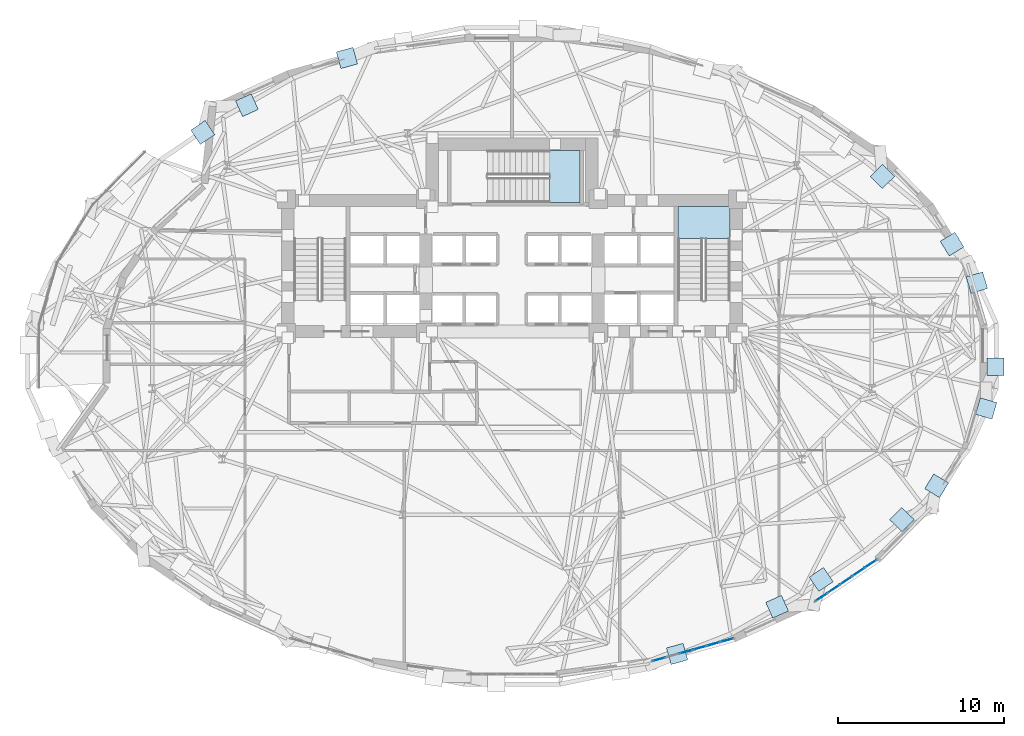
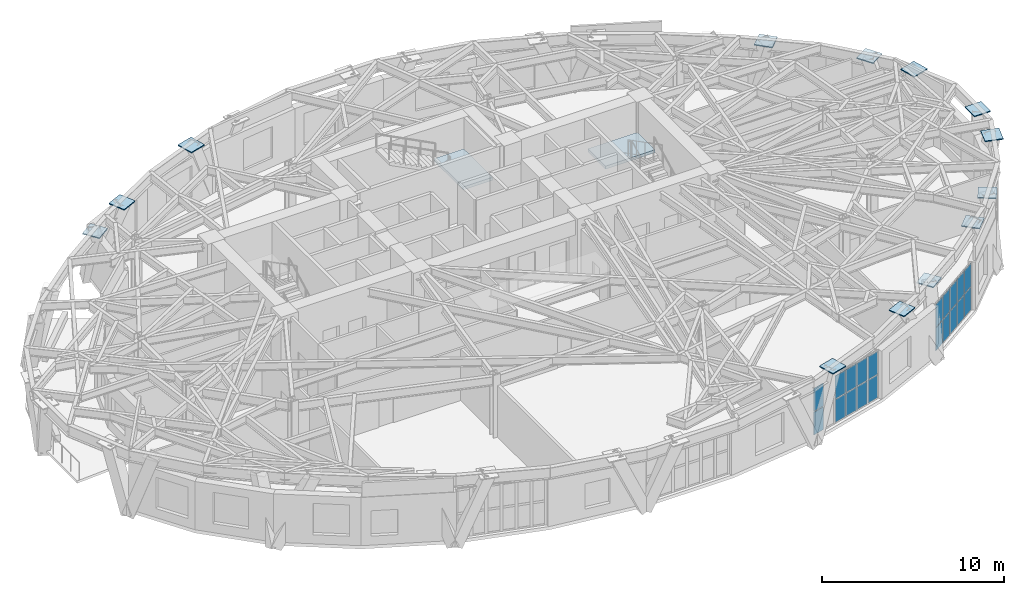
# One storey, part 11 of 20: 33 plates, 2 slabs, 4 elements without a shape of their own.
"""IFC4 building model written with IfcOpenShell, lengths in metres."""

from ifc_helpers import new_model, si_unit, direction, frame, origin, origin_2d, place, context, subcontext, project, spatial, polyline, rectangle, outline, extrude, material, layer, layer_set, type_object, element, aggregate, save


model = new_model("IFC4")

# Units and contexts
model_context = context("Model", 3, precision=1e-05, world=origin(), true_north=direction((0.0, 1.0)))
body_context = subcontext(model_context, "Body", "Model", "MODEL_VIEW")
ifc_project = project(units=[si_unit("LENGTHUNIT", "METRE"), si_unit("AREAUNIT", "SQUARE_METRE"), si_unit("VOLUMEUNIT", "CUBIC_METRE"), si_unit("PLANEANGLEUNIT", "RADIAN"), si_unit("MASSUNIT", "GRAM", prefix="KILO")], contexts=[model_context])

# Site, building, storey
site_placement = place(None, origin())
site = spatial("IfcSite", under=ifc_project, at=site_placement, CompositionType="ELEMENT")
building_placement = place(site_placement, origin())
building = spatial("IfcBuilding", under=site, at=building_placement, Name="Keldmark Tower", CompositionType="ELEMENT")
storey_placement = place(building_placement, frame((0.0, 0.0, 81.89990234375)))
storey = spatial("IfcBuildingStorey", under=building, at=storey_placement, Name="L21", CompositionType="ELEMENT", Elevation=81.89990234375)

# Plates
ifc_material_1 = material(Name="Steel ASTM A572 Grade 50", Category="steel")
ifc_layer_1 = layer(ifc_material_1, 0.06494140625)
ifc_layer_set_1 = layer_set([ifc_layer_1], Name="Steel ASTM A572 Grade 50")
plate_type_1 = type_object("IfcPlateType", Name="Diagrid Node Assembly DN02 65 mm", PredefinedType="USERDEFINED", material=ifc_layer_set_1)
for number, where, z_axis, x_axis, name in (
    (1, (28.0302734375, 4.41796875, 3.857666015625), (0.0, 0.0, 1.0), (-0.281839122541, 0.959461676674, 0.0), "L21 Diagrid Node Assembly 01"),
    (2, (26.53662109375, 6.741943359375, 3.857666015625), (0.0, 0.0, 1.0), (-0.521903182306, 0.853004729353, 0.0), "L21 Diagrid Node Assembly 02"),
    (3, (22.333740234375, 10.826416015625, 3.857666015625), (0.0, 0.0, 1.0), (-0.70240155419, 0.711780904964, 0.0), "L21 Diagrid Node Assembly 03"),
    (4, (-9.95458984375, 17.968505859375, 3.857666015625), (0.0, 0.0, 1.0), (-0.962833300518, -0.270096344686, 0.0), "L21 Diagrid Node Assembly 10"),
    (5, (-15.98583984375, 15.12109375, 3.857666015625), (0.0, 0.0, 1.0), (-0.911115763336, -0.41215053779, 0.0), "L21 Diagrid Node Assembly 11"),
    (6, (-18.644775390625, 13.476806640625, 3.857666015625), (0.0, 0.0, 1.0), (-0.828060334622, -0.560638994563, 0.0), "L21 Diagrid Node Assembly 12"),
    (7, (9.95458984375, -17.968505859375, 3.857666015625), (0.0, 0.0, 1.0), (0.962833300518, 0.270096344686, 0.0), "L21 Diagrid Node Assembly 26"),
    (8, (15.98583984375, -15.12109375, 3.857666015625), (0.0, 0.0, 1.0), (0.911115763336, 0.41215053779, 0.0), "L21 Diagrid Node Assembly 27"),
    (9, (18.644775390625, -13.476806640625, 3.857666015625), (0.0, 0.0, 1.0), (0.828060334622, 0.560638994563, 0.0), "L21 Diagrid Node Assembly 28"),
    (10, (23.507080078125, -9.8671875, 3.857666015625), (0.0, 0.0, 1.0), (0.70240155419, 0.711780904964, 0.0), "L21 Diagrid Node Assembly 29"),
    (11, (25.6044921875, -7.829345703125, 3.857666015625), (0.0, 0.0, 1.0), (0.521903182306, 0.853004729353, 0.0), "L21 Diagrid Node Assembly 30"),
    (12, (28.591552734375, -3.16943359375, 3.857666015625), (0.0, 0.0, 1.0), (0.281839122541, 0.959461676674, 0.0), "L21 Diagrid Node Assembly 31"),
    (13, (29.148193359375, -0.64404296875, 3.857666015625), (0.0, 0.0, 1.0), (0.0, 1.0, 0.0), "L21 Diagrid Node Assembly 32"),
):
    element("IfcPlate", number, at=place(storey_placement, frame(where, z_axis=z_axis, x_axis=x_axis)), inside=storey, type_object=plate_type_1, Name=name, ObjectType="GUSSET", PredefinedType="USERDEFINED", context=body_context, shape_type="SweptSolid", body=[
        extrude(rectangle(XDim=1.0400390625, YDim=1.0400390625, at=origin_2d()), origin(), (0.0, 0.0, 1.0), 0.06494140625),
    ])

# Stair, slab
ifc_material_2 = material(Name="Concrete C40/50", Category="concrete")
stair_type = type_object("IfcStairType", Name="Precast Concrete Core Exit Stair", PredefinedType="HALF_TURN_STAIR", material=ifc_material_2)
stair_1_placement = place(storey_placement, origin())
stair_1 = element("IfcStair", 14, at=stair_1_placement, inside=storey, type_object=stair_type, Name="L21 Exit Stair ST2", PredefinedType="HALF_TURN_STAIR")
ifc_material_3 = material(Name="Concrete C40/50", Category="concrete")
ifc_layer_2 = layer(ifc_material_3, 0.199951171875)
ifc_layer_set_2 = layer_set([ifc_layer_2], Name="Concrete C40/50")
slab_type = type_object("IfcSlabType", Name="Reinforced Concrete Stair Landing 200 mm", PredefinedType="LANDING", material=ifc_layer_set_2)
slab_1_placement = place(storey_placement, frame((0.0, 0.0, 1.900146484375)))
slab_1 = element("IfcSlab", 15, at=slab_1_placement, type_object=slab_type, Name="ST2 landing 1", PredefinedType="LANDING", context=body_context, shape_type="SweptSolid", body=[
    extrude(outline(polyline([(13.14990234375, 7.070068359375), (13.14990234375, 9.0), (10.0, 9.0), (10.0, 7.070068359375), (13.14990234375, 7.070068359375)])), origin(), (0.0, 0.0, 1.0), 0.199951171875),
])
aggregate(stair_1, [slab_1])

stair_2_placement = place(storey_placement, origin())
stair_2 = element("IfcStair", 16, at=stair_2_placement, inside=storey, type_object=stair_type, Name="L21 Exit Stair ST3", PredefinedType="HALF_TURN_STAIR")
slab_2_placement = place(storey_placement, frame((0.0, 0.0, 1.900146484375)))
slab_2 = element("IfcSlab", 17, at=slab_2_placement, type_object=slab_type, Name="ST3 landing 1", PredefinedType="LANDING", context=body_context, shape_type="SweptSolid", body=[
    extrude(outline(polyline([(2.2451171875, 9.25), (4.10498046875, 9.25), (4.10498046875, 12.39990234375), (2.2451171875, 12.39990234375), (2.2451171875, 9.25)])), origin(), (0.0, 0.0, 1.0), 0.199951171875),
])
aggregate(stair_2, [slab_2])

# Curtain wall, plates
ifc_material_4 = material(Name="Unitized Thermally Broken Aluminum and Triple Low-E Glazing", Category="aluminium")
ifc_layer_3 = layer(ifc_material_4, 0.219970703125)
ifc_layer_set_3 = layer_set([ifc_layer_3], Name="Unitized Thermally Broken Aluminum and Triple Low-E Glazing")
curtain_wall_type = type_object("IfcCurtainWallType", Name="Sky Lobby Amenity Curtain Wall System", PredefinedType="NOTDEFINED", material=ifc_layer_set_3)
curtain_wall_1_placement = place(storey_placement, origin())
curtain_wall_1 = element("IfcCurtainWall", 18, at=curtain_wall_1_placement, inside=storey, type_object=curtain_wall_type, Name="L21 Sky Lobby Amenity Curtain Wall System CW-L21-26", PredefinedType="NOTDEFINED")
ifc_material_5 = material(Name="Triple Silver Low-E Insulated Glass Unit", Category="glass")
ifc_layer_4 = layer(ifc_material_5, 0.035888671875)
ifc_layer_set_4 = layer_set([ifc_layer_4], Name="Triple Silver Low-E Insulated Glass Unit")
plate_type_2 = type_object("IfcPlateType", Name="Triple Low-E Vision Glazing Panel 36 mm", PredefinedType="CURTAIN_PANEL", material=ifc_layer_set_4)
plate_1_placement = place(storey_placement, frame((12.955322265625, -17.14306640625, 0.06005859375), z_axis=(0.0, 0.0, 1.0), x_axis=(-0.962852341481, -0.270028458695, 0.0)))
plate_1 = element("IfcPlate", 19, at=plate_1_placement, type_object=plate_type_2, Name="CW panel 1.1", PredefinedType="CURTAIN_PANEL", context=body_context, shape_type="SweptSolid", body=[
    extrude(rectangle(XDim=0.76611328125, YDim=0.035888671875, at=origin_2d()), origin(), (0.0, 0.0, 1.0), 1.52392578125),
])
plate_2_placement = place(storey_placement, frame((12.955322265625, -17.14306640625, 1.64404296875), z_axis=(0.0, 0.0, 1.0), x_axis=(-0.962852341481, -0.270028458695, 0.0)))
plate_2 = element("IfcPlate", 20, at=plate_2_placement, type_object=plate_type_2, Name="CW panel 1.2", PredefinedType="CURTAIN_PANEL", context=body_context, shape_type="SweptSolid", body=[
    extrude(rectangle(XDim=0.76611328125, YDim=0.035888671875, at=origin_2d()), origin(), (0.0, 0.0, 1.0), 1.52392578125),
])
plate_3_placement = place(storey_placement, frame((12.1455078125, -17.370361328125, 0.06005859375), z_axis=(0.0, 0.0, 1.0), x_axis=(-0.962852341481, -0.270028458695, 0.0)))
plate_3 = element("IfcPlate", 21, at=plate_3_placement, type_object=plate_type_2, Name="CW panel 2.1", PredefinedType="CURTAIN_PANEL", context=body_context, shape_type="SweptSolid", body=[
    extrude(rectangle(XDim=0.796142578125, YDim=0.035888671875, at=origin_2d()), origin(), (0.0, 0.0, 1.0), 1.52392578125),
])
plate_4_placement = place(storey_placement, frame((12.1455078125, -17.370361328125, 1.64404296875), z_axis=(0.0, 0.0, 1.0), x_axis=(-0.962852341481, -0.270028458695, 0.0)))
plate_4 = element("IfcPlate", 22, at=plate_4_placement, type_object=plate_type_2, Name="CW panel 2.2", PredefinedType="CURTAIN_PANEL", context=body_context, shape_type="SweptSolid", body=[
    extrude(rectangle(XDim=0.796142578125, YDim=0.035888671875, at=origin_2d()), origin(), (0.0, 0.0, 1.0), 1.52392578125),
])
plate_5_placement = place(storey_placement, frame((11.321044921875, -17.6015625, 0.06005859375), z_axis=(0.0, 0.0, 1.0), x_axis=(-0.962852341481, -0.270028458695, 0.0)))
plate_5 = element("IfcPlate", 23, at=plate_5_placement, type_object=plate_type_2, Name="CW panel 3.1", PredefinedType="CURTAIN_PANEL", context=body_context, shape_type="SweptSolid", body=[
    extrude(rectangle(XDim=0.796142578125, YDim=0.035888671875, at=origin_2d()), origin(), (0.0, 0.0, 1.0), 1.52392578125),
])
plate_6_placement = place(storey_placement, frame((11.321044921875, -17.6015625, 1.64404296875), z_axis=(0.0, 0.0, 1.0), x_axis=(-0.962852341481, -0.270028458695, 0.0)))
plate_6 = element("IfcPlate", 24, at=plate_6_placement, type_object=plate_type_2, Name="CW panel 3.2", PredefinedType="CURTAIN_PANEL", context=body_context, shape_type="SweptSolid", body=[
    extrude(rectangle(XDim=0.796142578125, YDim=0.035888671875, at=origin_2d()), origin(), (0.0, 0.0, 1.0), 1.52392578125),
])
plate_7_placement = place(storey_placement, frame((10.49658203125, -17.832763671875, 0.06005859375), z_axis=(0.0, 0.0, 1.0), x_axis=(-0.962852341481, -0.270028458695, 0.0)))
plate_7 = element("IfcPlate", 25, at=plate_7_placement, type_object=plate_type_2, Name="CW panel 4.1", PredefinedType="CURTAIN_PANEL", context=body_context, shape_type="SweptSolid", body=[
    extrude(rectangle(XDim=0.796142578125, YDim=0.035888671875, at=origin_2d()), origin(), (0.0, 0.0, 1.0), 1.52392578125),
])
plate_8_placement = place(storey_placement, frame((10.49658203125, -17.832763671875, 1.64404296875), z_axis=(0.0, 0.0, 1.0), x_axis=(-0.962852341481, -0.270028458695, 0.0)))
plate_8 = element("IfcPlate", 26, at=plate_8_placement, type_object=plate_type_2, Name="CW panel 4.2", PredefinedType="CURTAIN_PANEL", context=body_context, shape_type="SweptSolid", body=[
    extrude(rectangle(XDim=0.796142578125, YDim=0.035888671875, at=origin_2d()), origin(), (0.0, 0.0, 1.0), 1.52392578125),
])
plate_9_placement = place(storey_placement, frame((8.8623046875, -18.291015625, 0.06005859375), z_axis=(0.0, 0.0, 1.0), x_axis=(-0.962852341481, -0.270028458695, 0.0)))
plate_9 = element("IfcPlate", 27, at=plate_9_placement, type_object=plate_type_2, Name="CW panel 6.1", PredefinedType="CURTAIN_PANEL", context=body_context, shape_type="SweptSolid", body=[
    extrude(rectangle(XDim=0.76611328125, YDim=0.035888671875, at=origin_2d()), origin(), (0.0, 0.0, 1.0), 1.52392578125),
])
plate_10_placement = place(storey_placement, frame((8.8623046875, -18.291015625, 1.64404296875), z_axis=(0.0, 0.0, 1.0), x_axis=(-0.962852341481, -0.270028458695, 0.0)))
plate_10 = element("IfcPlate", 28, at=plate_10_placement, type_object=plate_type_2, Name="CW panel 6.2", PredefinedType="CURTAIN_PANEL", context=body_context, shape_type="SweptSolid", body=[
    extrude(rectangle(XDim=0.76611328125, YDim=0.035888671875, at=origin_2d()), origin(), (0.0, 0.0, 1.0), 1.52392578125),
])
aggregate(curtain_wall_1, [plate_1, plate_2, plate_3, plate_4, plate_5, plate_6, plate_7, plate_8, plate_9, plate_10])

curtain_wall_2_placement = place(storey_placement, origin())
curtain_wall_2 = element("IfcCurtainWall", 29, at=curtain_wall_2_placement, inside=storey, type_object=curtain_wall_type, Name="L21 Sky Lobby Amenity Curtain Wall System CW-L21-28", PredefinedType="NOTDEFINED")
plate_11_placement = place(storey_placement, frame((21.635009765625, -12.530029296875, 0.06005859375), z_axis=(0.0, 0.0, 1.0), x_axis=(-0.828058515284, -0.560641681706, 0.0)))
plate_11 = element("IfcPlate", 30, at=plate_11_placement, type_object=plate_type_2, Name="CW panel 1.1", PredefinedType="CURTAIN_PANEL", context=body_context, shape_type="SweptSolid", body=[
    extrude(rectangle(XDim=0.818359375, YDim=0.035888671875, at=origin_2d()), origin(), (0.0, 0.0, 1.0), 1.52392578125),
])
plate_12_placement = place(storey_placement, frame((21.635009765625, -12.530029296875, 1.64404296875), z_axis=(0.0, 0.0, 1.0), x_axis=(-0.828058515284, -0.560641681706, 0.0)))
plate_12 = element("IfcPlate", 31, at=plate_12_placement, type_object=plate_type_2, Name="CW panel 1.2", PredefinedType="CURTAIN_PANEL", context=body_context, shape_type="SweptSolid", body=[
    extrude(rectangle(XDim=0.818359375, YDim=0.035888671875, at=origin_2d()), origin(), (0.0, 0.0, 1.0), 1.52392578125),
])
plate_13_placement = place(storey_placement, frame((20.895263671875, -13.03076171875, 0.06005859375), z_axis=(0.0, 0.0, 1.0), x_axis=(-0.828058515284, -0.560641681706, 0.0)))
plate_13 = element("IfcPlate", 32, at=plate_13_placement, type_object=plate_type_2, Name="CW panel 2.1", PredefinedType="CURTAIN_PANEL", context=body_context, shape_type="SweptSolid", body=[
    extrude(rectangle(XDim=0.84814453125, YDim=0.035888671875, at=origin_2d()), origin(), (0.0, 0.0, 1.0), 1.52392578125),
])
plate_14_placement = place(storey_placement, frame((20.895263671875, -13.03076171875, 1.64404296875), z_axis=(0.0, 0.0, 1.0), x_axis=(-0.828058515284, -0.560641681706, 0.0)))
plate_14 = element("IfcPlate", 33, at=plate_14_placement, type_object=plate_type_2, Name="CW panel 2.2", PredefinedType="CURTAIN_PANEL", context=body_context, shape_type="SweptSolid", body=[
    extrude(rectangle(XDim=0.84814453125, YDim=0.035888671875, at=origin_2d()), origin(), (0.0, 0.0, 1.0), 1.52392578125),
])
plate_15_placement = place(storey_placement, frame((20.143310546875, -13.5400390625, 0.06005859375), z_axis=(0.0, 0.0, 1.0), x_axis=(-0.828058515284, -0.560641681706, 0.0)))
plate_15 = element("IfcPlate", 34, at=plate_15_placement, type_object=plate_type_2, Name="CW panel 3.1", PredefinedType="CURTAIN_PANEL", context=body_context, shape_type="SweptSolid", body=[
    extrude(rectangle(XDim=0.84814453125, YDim=0.035888671875, at=origin_2d()), origin(), (0.0, 0.0, 1.0), 1.52392578125),
])
plate_16_placement = place(storey_placement, frame((20.143310546875, -13.5400390625, 1.64404296875), z_axis=(0.0, 0.0, 1.0), x_axis=(-0.828058515284, -0.560641681706, 0.0)))
plate_16 = element("IfcPlate", 35, at=plate_16_placement, type_object=plate_type_2, Name="CW panel 3.2", PredefinedType="CURTAIN_PANEL", context=body_context, shape_type="SweptSolid", body=[
    extrude(rectangle(XDim=0.84814453125, YDim=0.035888671875, at=origin_2d()), origin(), (0.0, 0.0, 1.0), 1.52392578125),
])
plate_17_placement = place(storey_placement, frame((19.39111328125, -14.04931640625, 0.06005859375), z_axis=(0.0, 0.0, 1.0), x_axis=(-0.828058515284, -0.560641681706, 0.0)))
plate_17 = element("IfcPlate", 36, at=plate_17_placement, type_object=plate_type_2, Name="CW panel 4.1", PredefinedType="CURTAIN_PANEL", context=body_context, shape_type="SweptSolid", body=[
    extrude(rectangle(XDim=0.84814453125, YDim=0.035888671875, at=origin_2d()), origin(), (0.0, 0.0, 1.0), 1.52392578125),
])
plate_18_placement = place(storey_placement, frame((19.39111328125, -14.04931640625, 1.64404296875), z_axis=(0.0, 0.0, 1.0), x_axis=(-0.828058515284, -0.560641681706, 0.0)))
plate_18 = element("IfcPlate", 37, at=plate_18_placement, type_object=plate_type_2, Name="CW panel 4.2", PredefinedType="CURTAIN_PANEL", context=body_context, shape_type="SweptSolid", body=[
    extrude(rectangle(XDim=0.84814453125, YDim=0.035888671875, at=origin_2d()), origin(), (0.0, 0.0, 1.0), 1.52392578125),
])
plate_19_placement = place(storey_placement, frame((18.651611328125, -14.550048828125, 0.06005859375), z_axis=(0.0, 0.0, 1.0), x_axis=(-0.828058515284, -0.560641681706, 0.0)))
plate_19 = element("IfcPlate", 38, at=plate_19_placement, type_object=plate_type_2, Name="CW panel 5.1", PredefinedType="CURTAIN_PANEL", context=body_context, shape_type="SweptSolid", body=[
    extrude(rectangle(XDim=0.818359375, YDim=0.035888671875, at=origin_2d()), origin(), (0.0, 0.0, 1.0), 1.52392578125),
])
plate_20_placement = place(storey_placement, frame((18.651611328125, -14.550048828125, 1.64404296875), z_axis=(0.0, 0.0, 1.0), x_axis=(-0.828058515284, -0.560641681706, 0.0)))
plate_20 = element("IfcPlate", 39, at=plate_20_placement, type_object=plate_type_2, Name="CW panel 5.2", PredefinedType="CURTAIN_PANEL", context=body_context, shape_type="SweptSolid", body=[
    extrude(rectangle(XDim=0.818359375, YDim=0.035888671875, at=origin_2d()), origin(), (0.0, 0.0, 1.0), 1.52392578125),
])
aggregate(curtain_wall_2, [plate_11, plate_12, plate_13, plate_14, plate_15, plate_16, plate_17, plate_18, plate_19, plate_20])

save(model, "model.ifc")
